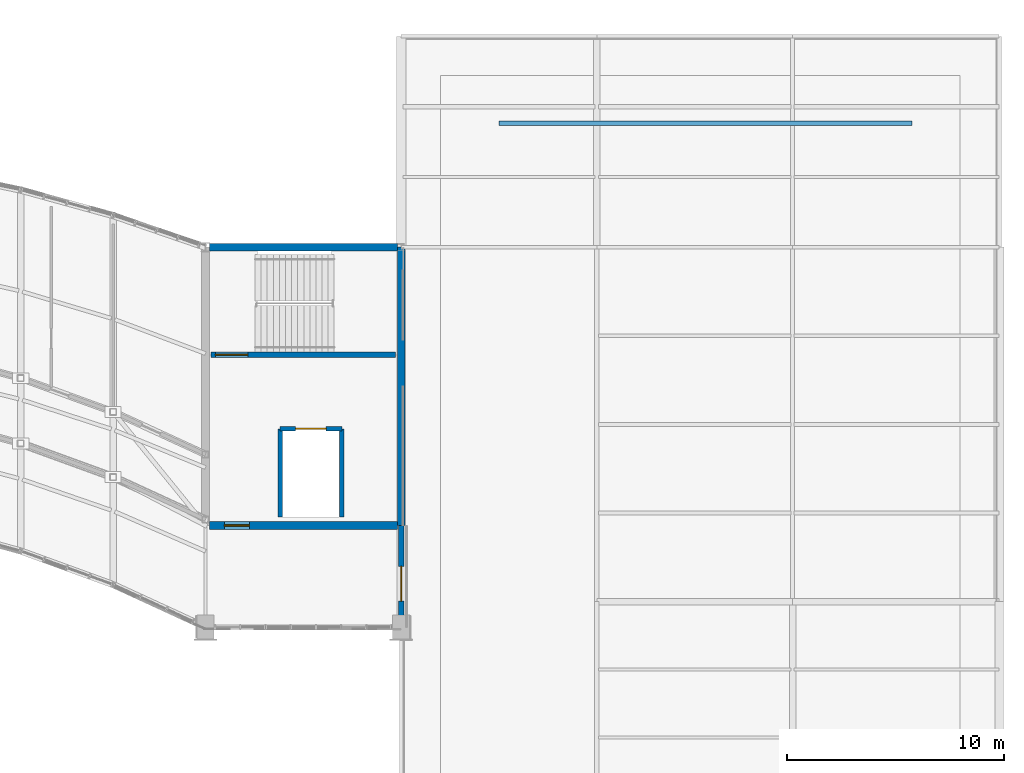
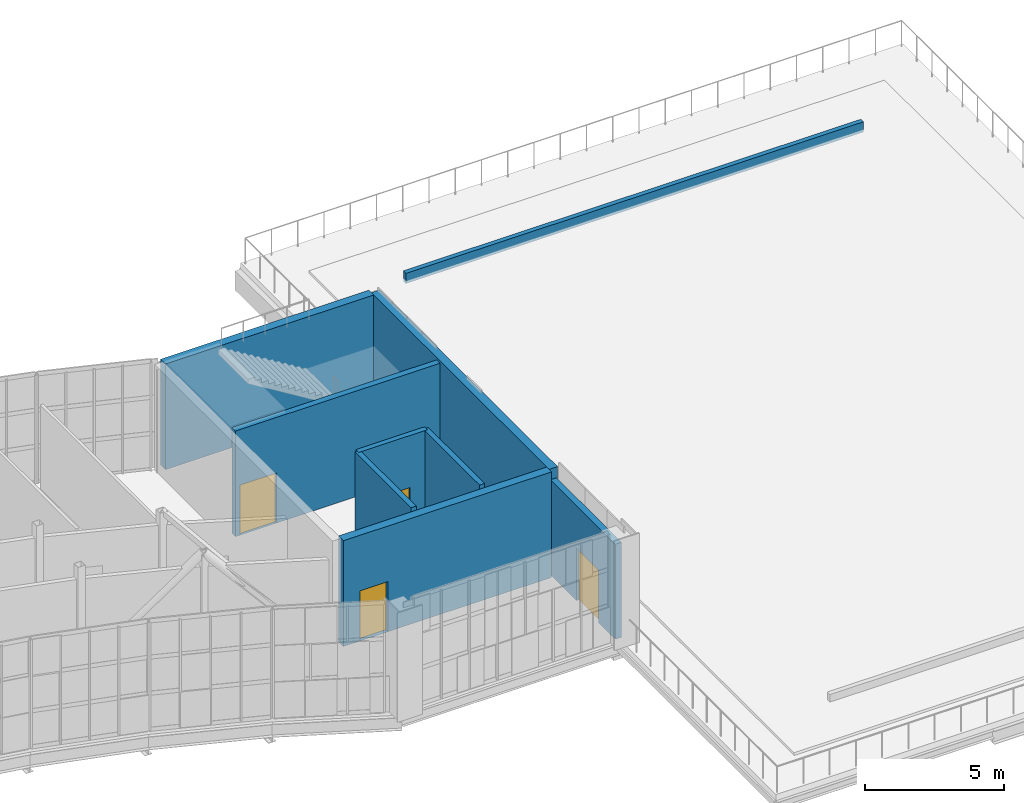
# One storey, part 56 of 66: 9 walls, 4 doors, 4 openings.
"""IFC4 building model written with IfcOpenShell, lengths in metres."""

from ifc_helpers import new_model, si_unit, direction, frame, frame_2d, origin, place, context, subcontext, project, spatial, rectangle, extrude, material, layer, layer_set, type_object, element, fill, save


model = new_model("IFC4")

# Units and contexts
model_context = context("Model", 3, precision=1e-05, world=origin(), true_north=direction((0.0, 1.0)))
body_context = subcontext(model_context, "Body", "Model", "MODEL_VIEW")
ifc_project = project(units=[si_unit("LENGTHUNIT", "METRE"), si_unit("AREAUNIT", "SQUARE_METRE"), si_unit("VOLUMEUNIT", "CUBIC_METRE"), si_unit("PLANEANGLEUNIT", "RADIAN"), si_unit("MASSUNIT", "GRAM", prefix="KILO")], contexts=[model_context])

# Site, building, storey
site_placement = place(None, origin())
site = spatial("IfcSite", under=ifc_project, at=site_placement, CompositionType="ELEMENT")
building_placement = place(site_placement, origin())
building = spatial("IfcBuilding", under=site, at=building_placement, Name="Solvikara Media Centre", CompositionType="ELEMENT")
storey_placement = place(building_placement, frame((0.0, 0.0, 19.800048828125)))
storey = spatial("IfcBuildingStorey", under=building, at=storey_placement, Name="L04", CompositionType="ELEMENT", Elevation=19.800048828125)

# Walls
ifc_material_1 = material(Name="Concrete fc' 45 MPa (C45/55)", Category="concrete")
ifc_layer_1 = layer(ifc_material_1, 0.35009765625)
ifc_layer_set_1 = layer_set([ifc_layer_1], Name="Concrete fc' 45 MPa (C45/55)")
wall_type_1 = type_object("IfcWallType", Name="WT-03", PredefinedType="SHEAR", material=ifc_layer_set_1)
wall_1_placement = place(storey_placement, frame((136.5, 24.0, 0.0), z_axis=(0.0, 0.0, 1.0), x_axis=(0.0, 1.0, 0.0)))
element("IfcWall", 1, at=wall_1_placement, inside=storey, type_object=wall_type_1, Name="CW-C4-L04-E", PredefinedType="SHEAR", context=body_context, shape_type="SweptSolid", body=[
    extrude(rectangle(XDim=12.800048828125, YDim=0.35009765625, at=frame_2d((6.39990234375, 0.0))), origin(), (0.0, 0.0, 1.0), 4.639892578125),
])
wall_2_placement = place(storey_placement, frame((127.675048828125, 36.800048828125, 0.0), z_axis=(0.0, 0.0, 1.0), x_axis=(1.0, 0.0, 0.0)))
element("IfcWall", 2, at=wall_2_placement, inside=storey, type_object=wall_type_1, Name="CW-C4-L04-N", PredefinedType="SHEAR", context=body_context, shape_type="SweptSolid", body=[
    extrude(rectangle(XDim=8.64990234375, YDim=0.35009765625, at=frame_2d((4.324951171875, 0.0))), origin(), (0.0, 0.0, 1.0), 4.639892578125),
])

# Wall, opening, door
wall_3_placement = place(storey_placement, frame((127.675048828125, 24.0, 0.0), z_axis=(0.0, 0.0, 1.0), x_axis=(1.0, 0.0, 0.0)))
wall_3 = element("IfcWall", 3, at=wall_3_placement, inside=storey, type_object=wall_type_1, Name="CW-C4-L04-S", PredefinedType="SHEAR", context=body_context, shape_type="SweptSolid", body=[
    extrude(rectangle(XDim=8.64990234375, YDim=0.35009765625, at=frame_2d((4.324951171875, 0.0))), origin(), (0.0, 0.0, 1.0), 4.639892578125),
])
opening_1_placement = place(wall_3_placement, frame((0.699951171875, 0.0, 0.0)))
opening_1 = element("IfcOpeningElement", 4, at=opening_1_placement, cuts=wall_3, Name="Opening D-C4-L04-LOB", PredefinedType="OPENING", context=body_context, shape_type="SweptSolid", body=[
    extrude(rectangle(XDim=1.14990234375, YDim=2.199951171875, at=frame_2d((0.574951171875, 1.10009765625))), frame((0.0, 0.18701171875, 0.0), z_axis=(0.0, -1.0, 0.0), x_axis=(1.0, 0.0, 0.0)), (0.0, 0.0, 1.0), 0.3740234375),
])
ifc_material_2 = material(Name="Insulated fire-rated steel door leaf", Category="steel")
door_type_1 = type_object("IfcDoorType", Name="DT-09", OperationType="NOTDEFINED", PredefinedType="DOOR", material=ifc_material_2)
door_1_placement = place(opening_1_placement, frame((1.14990234375, 0.0, 0.0), z_axis=(0.0, 0.0, 1.0), x_axis=(-1.0, 0.0, 0.0)))
door_1 = element("IfcDoor", 5, at=door_1_placement, inside=storey, type_object=door_type_1, Name="D-C4-L04-LOB", OperationType="SINGLE_SWING_RIGHT", OverallHeight=2.199951171875, OverallWidth=1.14990234375, PredefinedType="DOOR", context=body_context, shape_type="SweptSolid", body=[
    extrude(rectangle(XDim=1.14990234375, YDim=2.199951171875, at=frame_2d((0.574951171875, 1.10009765625))), frame((0.0, 0.02490234375, 0.0), z_axis=(0.0, -1.0, 0.0), x_axis=(1.0, 0.0, 0.0)), (0.0, 0.0, 1.0), 0.050048828125),
])
fill(opening_1, door_1)

ifc_layer_2 = layer(ifc_material_1, 0.25)
ifc_layer_set_2 = layer_set([ifc_layer_2], Name="Concrete fc' 45 MPa (C45/55)")
wall_type_2 = type_object("IfcWallType", Name="WT-07", PredefinedType="STANDARD", material=ifc_layer_set_2)
wall_4_placement = place(storey_placement, frame((127.75, 31.85009765625, 0.0), z_axis=(0.0, 0.0, 1.0), x_axis=(1.0, 0.0, 0.0)))
wall_4 = element("IfcWall", 6, at=wall_4_placement, inside=storey, type_object=wall_type_2, Name="CW-C4-L04-SD", PredefinedType="STANDARD", context=body_context, shape_type="SweptSolid", body=[
    extrude(rectangle(XDim=8.5, YDim=0.25, at=frame_2d((4.25, 0.0))), origin(), (0.0, 0.0, 1.0), 4.639892578125),
])
opening_2_placement = place(wall_4_placement, frame((0.199951171875, 0.0, 0.0)))
opening_2 = element("IfcOpeningElement", 7, at=opening_2_placement, cuts=wall_4, Name="Opening D-C4-L04-ST", PredefinedType="OPENING", context=body_context, shape_type="SweptSolid", body=[
    extrude(rectangle(XDim=1.5, YDim=2.199951171875, at=frame_2d((0.75, 1.10009765625))), frame((0.0, 0.136962890625, 0.0), z_axis=(0.0, -1.0, 0.0), x_axis=(1.0, 0.0, 0.0)), (0.0, 0.0, 1.0), 0.27392578125),
])
door_type_2 = type_object("IfcDoorType", Name="DT-08", OperationType="DOUBLE_DOOR_SINGLE_SWING", PredefinedType="DOOR", material=ifc_material_2)
door_2_placement = place(opening_2_placement, frame((1.5, 0.0, 0.0), z_axis=(0.0, 0.0, 1.0), x_axis=(-1.0, 0.0, 0.0)))
door_2 = element("IfcDoor", 8, at=door_2_placement, inside=storey, type_object=door_type_2, Name="D-C4-L04-ST", OperationType="DOUBLE_DOOR_SINGLE_SWING", OverallHeight=2.199951171875, OverallWidth=1.5, PredefinedType="DOOR", context=body_context, shape_type="SweptSolid", body=[
    extrude(rectangle(XDim=1.5, YDim=2.199951171875, at=frame_2d((0.75, 1.10009765625))), frame((0.0, 0.02490234375, 0.0), z_axis=(0.0, -1.0, 0.0), x_axis=(1.0, 0.0, 0.0)), (0.0, 0.0, 1.0), 0.050048828125),
])
fill(opening_2, door_2)

ifc_material_3 = material(Name="Precast concrete fc' 40 MPa (C40/50)", Category="concrete")
ifc_layer_3 = layer(ifc_material_3, 0.260009765625)
ifc_layer_set_3 = layer_set([ifc_layer_3], Name="Precast concrete fc' 40 MPa (C40/50)")
wall_type_3 = type_object("IfcWallType", Name="WT-12", PredefinedType="STANDARD", material=ifc_layer_set_3)
wall_5_placement = place(storey_placement, frame((136.5, 19.323974609375, 0.0), z_axis=(0.0, 0.0, 1.0), x_axis=(0.0, 1.0, 0.0)))
wall_5 = element("IfcWall", 9, at=wall_5_placement, inside=storey, type_object=wall_type_3, Name="EW-L04-BHE-E", PredefinedType="STANDARD", context=body_context, shape_type="SweptSolid", body=[
    extrude(rectangle(XDim=4.676025390625, YDim=0.260009765625, at=frame_2d((2.337890625, 0.0))), origin(), (0.0, 0.0, 1.0), 4.16796875),
])
opening_3_placement = place(wall_5_placement, frame((1.199951171875, 0.0, 0.0)))
opening_3 = element("IfcOpeningElement", 10, at=opening_3_placement, cuts=wall_5, Name="Opening TD-L04-V5", PredefinedType="OPENING", context=body_context, shape_type="SweptSolid", body=[
    extrude(rectangle(XDim=1.60009765625, YDim=2.300048828125, at=frame_2d((0.800048828125, 1.14990234375))), frame((0.0, 0.14208984375, 0.0), z_axis=(0.0, -1.0, 0.0), x_axis=(1.0, 0.0, 0.0)), (0.0, 0.0, 1.0), 0.283935546875),
])
ifc_material_4 = material(Name="Anodised aluminium EN AW-6063", Category="aluminium")
door_type_3 = type_object("IfcDoorType", Name="DT-04", OperationType="DOUBLE_DOOR_SINGLE_SWING", PredefinedType="DOOR", material=ifc_material_4)
door_3_placement = place(opening_3_placement, frame((1.60009765625, 0.0, 0.0), z_axis=(0.0, 0.0, 1.0), x_axis=(-1.0, 0.0, 0.0)))
door_3 = element("IfcDoor", 11, at=door_3_placement, inside=storey, type_object=door_type_3, Name="TD-L04-V5", OperationType="DOUBLE_DOOR_SINGLE_SWING", OverallHeight=2.300048828125, OverallWidth=1.60009765625, PredefinedType="DOOR", context=body_context, shape_type="SweptSolid", body=[
    extrude(rectangle(XDim=1.60009765625, YDim=2.300048828125, at=frame_2d((0.800048828125, 1.14990234375))), frame((0.0, 0.02490234375, 0.0), z_axis=(0.0, -1.0, 0.0), x_axis=(1.0, 0.0, 0.0)), (0.0, 0.0, 1.0), 0.050048828125),
])
fill(opening_3, door_3)

# Walls
ifc_layer_4 = layer(ifc_material_3, 0.18994140625)
ifc_layer_set_4 = layer_set([ifc_layer_4], Name="Precast concrete fc' 40 MPa (C40/50)")
wall_type_4 = type_object("IfcWallType", Name="WT-15", PredefinedType="PARAPET", material=ifc_layer_set_4)
wall_6_placement = place(storey_placement, frame((141.0, 42.5, 0.0), z_axis=(0.0, 0.0, 1.0), x_axis=(1.0, 0.0, 0.0)))
element("IfcWall", 12, at=wall_6_placement, inside=storey, type_object=wall_type_4, Name="KRB-L04-02", PredefinedType="PARAPET", context=body_context, shape_type="SweptSolid", body=[
    extrude(rectangle(XDim=19.0, YDim=0.18994140625, at=frame_2d((9.5, 0.0))), origin(), (0.0, 0.0, 1.0), 0.449951171875),
])
ifc_material_5 = material(Name="Fire-rated gypsum and mineral-wool shaft wall assembly")
ifc_layer_5 = layer(ifc_material_5, 0.2099609375)
ifc_layer_set_5 = layer_set([ifc_layer_5], Name="Fire-rated gypsum and mineral-wool shaft wall assembly")
wall_type_5 = type_object("IfcWallType", Name="WT-17", PredefinedType="PARTITIONING", material=ifc_layer_set_5)
for number, where, z_axis, x_axis, name in (
    (13, (130.929931640625, 24.39990234375, 0.0), (0.0, 0.0, 1.0), (0.0, 1.0, 0.0), "LW-LF-G1-L04-W"),
    (14, (133.77001953125, 24.39990234375, 0.0), (0.0, 0.0, 1.0), (0.0, 1.0, 0.0), "LW-LF-G1-L04-E"),
):
    element("IfcWall", number, at=place(storey_placement, frame(where, z_axis=z_axis, x_axis=x_axis)), inside=storey, type_object=wall_type_5, Name=name, PredefinedType="PARTITIONING", context=body_context, shape_type="SweptSolid", body=[
        extrude(rectangle(XDim=4.050048828125, YDim=0.2099609375, at=frame_2d((2.02490234375, 0.0))), origin(), (0.0, 0.0, 1.0), 4.639892578125),
    ])

# Wall, opening, door
wall_7_placement = place(storey_placement, frame((130.929931640625, 28.449951171875, 0.0), z_axis=(0.0, 0.0, 1.0), x_axis=(1.0, 0.0, 0.0)))
wall_7 = element("IfcWall", 15, at=wall_7_placement, inside=storey, type_object=wall_type_5, Name="LW-LF-G1-L04-N", PredefinedType="PARTITIONING", context=body_context, shape_type="SweptSolid", body=[
    extrude(rectangle(XDim=2.840087890625, YDim=0.2099609375, at=frame_2d((1.419921875, 0.0))), origin(), (0.0, 0.0, 1.0), 4.639892578125),
])
opening_4_placement = place(wall_7_placement, frame((0.719970703125, 0.0, 0.0)))
opening_4 = element("IfcOpeningElement", 16, at=opening_4_placement, cuts=wall_7, Name="Opening LD-LF-G1-L04", PredefinedType="OPENING", context=body_context, shape_type="SweptSolid", body=[
    extrude(rectangle(XDim=1.39990234375, YDim=2.35009765625, at=frame_2d((0.699951171875, 1.175048828125))), frame((0.0, 0.116943359375, 0.0), z_axis=(0.0, -1.0, 0.0), x_axis=(1.0, 0.0, 0.0)), (0.0, 0.0, 1.0), 0.23388671875),
])
door_type_4 = type_object("IfcDoorType", Name="LD-03", OperationType="DOUBLE_DOOR_SLIDING", PredefinedType="DOOR", material=ifc_material_2)
door_4_placement = place(opening_4_placement, origin())
door_4 = element("IfcDoor", 17, at=door_4_placement, inside=storey, type_object=door_type_4, Name="LD-LF-G1-L04", OperationType="DOUBLE_DOOR_SLIDING", OverallHeight=2.35009765625, OverallWidth=1.39990234375, PredefinedType="DOOR", context=body_context, shape_type="SweptSolid", body=[
    extrude(rectangle(XDim=1.39990234375, YDim=2.35009765625, at=frame_2d((0.699951171875, 1.175048828125))), frame((0.0, 0.02490234375, 0.0), z_axis=(0.0, -1.0, 0.0), x_axis=(1.0, 0.0, 0.0)), (0.0, 0.0, 1.0), 0.050048828125),
])
fill(opening_4, door_4)

save(model, "model.ifc")
